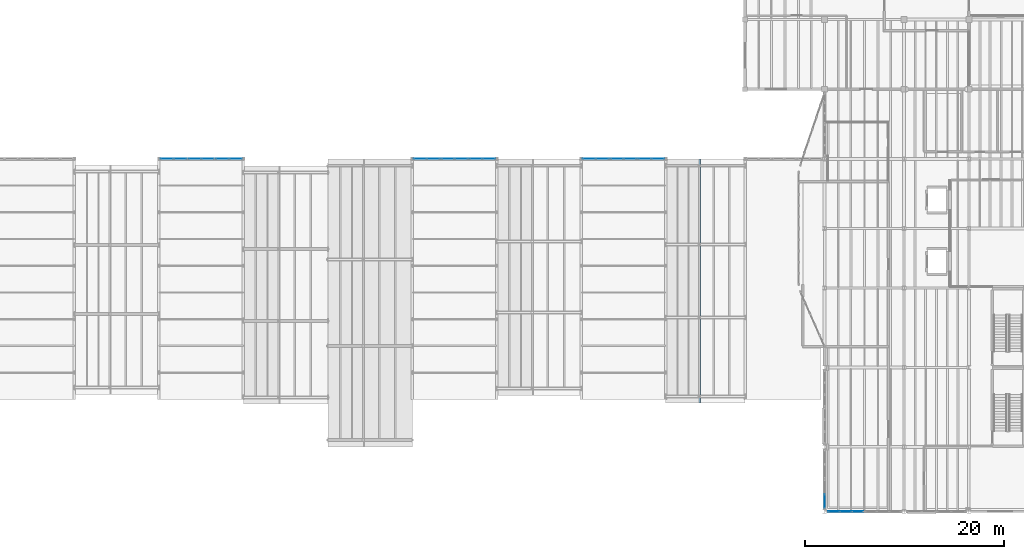
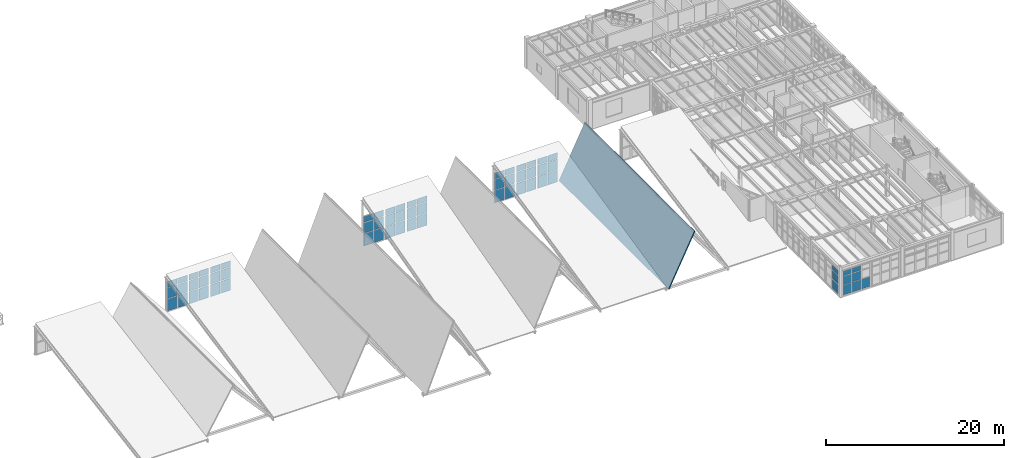
# One storey, part 50 of 77: 64 plates, 1 slab, 12 elements without a shape of their own.
"""IFC4 building model written with IfcOpenShell, lengths in metres."""

from ifc_helpers import new_model, si_unit, direction, frame, origin, origin_2d, place, context, subcontext, project, spatial, polyline, rectangle, outline, extrude, material, layer, layer_set, type_object, element, aggregate, save


model = new_model("IFC4")

# Units and contexts
model_context = context("Model", 3, precision=1e-05, world=origin(), true_north=direction((0.0, 1.0)))
body_context = subcontext(model_context, "Body", "Model", "MODEL_VIEW")
ifc_project = project(units=[si_unit("LENGTHUNIT", "METRE"), si_unit("AREAUNIT", "SQUARE_METRE"), si_unit("VOLUMEUNIT", "CUBIC_METRE"), si_unit("PLANEANGLEUNIT", "RADIAN"), si_unit("MASSUNIT", "GRAM", prefix="KILO"), si_unit("THERMODYNAMICTEMPERATUREUNIT", "KELVIN"), si_unit("POWERUNIT", "WATT")], contexts=[model_context])

# Site, building, storey
site_placement = place(None, origin())
site = spatial("IfcSite", under=ifc_project, at=site_placement, CompositionType="ELEMENT")
building_placement = place(site_placement, origin())
building = spatial("IfcBuilding", under=site, at=building_placement, Name="Zhenchuan Central Fire Station", CompositionType="ELEMENT")
storey_placement = place(building_placement, frame((0.0, 0.0, 10.050048828125)))
storey = spatial("IfcBuildingStorey", under=building, at=storey_placement, Name="L03", CompositionType="ELEMENT", Elevation=10.050048828125)

# Curtain wall, plates
ifc_material_1 = material(Name="Anodised aluminium and low-E glazing", Category="aluminium")
curtain_wall_type_1 = type_object("IfcCurtainWallType", Name="CW-MOD-20", PredefinedType="USERDEFINED", material=ifc_material_1)
curtain_wall_1_placement = place(storey_placement, origin())
curtain_wall_1 = element("IfcCurtainWall", 1, at=curtain_wall_1_placement, inside=storey, type_object=curtain_wall_type_1, Name="L03 Unitised Curtain Wall 004", ObjectType="UNITISED GLAZING", PredefinedType="USERDEFINED")
ifc_material_2 = material(Name="Laminated low-E double glazing", Category="glass")
ifc_layer_1 = layer(ifc_material_2, 0.011962890625, Name="Laminated low-E double glazing", Category="glass")
ifc_layer_set_1 = layer_set([ifc_layer_1], Name="Laminated low-E double glazing")
plate_type = type_object("IfcPlateType", Name="CW-PNL12", PredefinedType="CURTAIN_PANEL", material=ifc_layer_set_1)
plate_1_placement = place(storey_placement, frame((73.791015625, 35.5, -0.12890625), z_axis=(0.0, 0.0, 1.0), x_axis=(1.0, 0.0, 0.0)))
plate_1 = element("IfcPlate", 2, at=plate_1_placement, type_object=plate_type, Name="CW-20 panel 1.1", PredefinedType="CURTAIN_PANEL", context=body_context, shape_type="SweptSolid", body=[
    extrude(rectangle(XDim=1.255859375, YDim=0.011962890625, at=origin_2d()), origin(), (0.0, 0.0, 1.0), 1.655517578125),
])
plate_2_placement = place(storey_placement, frame((73.791015625, 35.5, 1.6015625), z_axis=(0.0, 0.0, 1.0), x_axis=(1.0, 0.0, 0.0)))
plate_2 = element("IfcPlate", 3, at=plate_2_placement, type_object=plate_type, Name="CW-20 panel 1.2", PredefinedType="CURTAIN_PANEL", context=body_context, shape_type="SweptSolid", body=[
    extrude(rectangle(XDim=1.255859375, YDim=0.011962890625, at=origin_2d()), origin(), (0.0, 0.0, 1.0), 1.43701171875),
])
plate_3_placement = place(storey_placement, frame((73.791015625, 35.5, 3.113525390625), z_axis=(0.0, 0.0, 1.0), x_axis=(1.0, 0.0, 0.0)))
plate_3 = element("IfcPlate", 4, at=plate_3_placement, type_object=plate_type, Name="CW-20 panel 1.3", PredefinedType="CURTAIN_PANEL", context=body_context, shape_type="SweptSolid", body=[
    extrude(rectangle(XDim=1.255859375, YDim=0.011962890625, at=origin_2d()), origin(), (0.0, 0.0, 1.0), 0.8115234375),
])
plate_4_placement = place(storey_placement, frame((75.121826171875, 35.5, -0.12890625), z_axis=(0.0, 0.0, 1.0), x_axis=(1.0, 0.0, 0.0)))
plate_4 = element("IfcPlate", 5, at=plate_4_placement, type_object=plate_type, Name="CW-20 panel 2.1", PredefinedType="CURTAIN_PANEL", context=body_context, shape_type="SweptSolid", body=[
    extrude(rectangle(XDim=1.255859375, YDim=0.011962890625, at=origin_2d()), origin(), (0.0, 0.0, 1.0), 1.655517578125),
])
plate_5_placement = place(storey_placement, frame((75.121826171875, 35.5, 1.6015625), z_axis=(0.0, 0.0, 1.0), x_axis=(1.0, 0.0, 0.0)))
plate_5 = element("IfcPlate", 6, at=plate_5_placement, type_object=plate_type, Name="CW-20 panel 2.2", PredefinedType="CURTAIN_PANEL", context=body_context, shape_type="SweptSolid", body=[
    extrude(rectangle(XDim=1.255859375, YDim=0.011962890625, at=origin_2d()), origin(), (0.0, 0.0, 1.0), 1.43701171875),
])
plate_6_placement = place(storey_placement, frame((75.121826171875, 35.5, 3.113525390625), z_axis=(0.0, 0.0, 1.0), x_axis=(1.0, 0.0, 0.0)))
plate_6 = element("IfcPlate", 7, at=plate_6_placement, type_object=plate_type, Name="CW-20 panel 2.3", PredefinedType="CURTAIN_PANEL", context=body_context, shape_type="SweptSolid", body=[
    extrude(rectangle(XDim=1.255859375, YDim=0.011962890625, at=origin_2d()), origin(), (0.0, 0.0, 1.0), 0.8115234375),
])
aggregate(curtain_wall_1, [plate_1, plate_2, plate_3, plate_4, plate_5, plate_6])

curtain_wall_type_2 = type_object("IfcCurtainWallType", Name="CW-MOD-21", PredefinedType="USERDEFINED", material=ifc_material_1)
curtain_wall_2_placement = place(storey_placement, origin())
curtain_wall_2 = element("IfcCurtainWall", 8, at=curtain_wall_2_placement, inside=storey, type_object=curtain_wall_type_2, Name="L03 Unitised Curtain Wall 005", ObjectType="UNITISED GLAZING", PredefinedType="USERDEFINED")
plate_7_placement = place(storey_placement, frame((76.593994140625, 35.5, -0.12890625), z_axis=(0.0, 0.0, 1.0), x_axis=(1.0, 0.0, 0.0)))
plate_7 = element("IfcPlate", 9, at=plate_7_placement, type_object=plate_type, Name="CW-21 panel 1.1", PredefinedType="CURTAIN_PANEL", context=body_context, shape_type="SweptSolid", body=[
    extrude(rectangle(XDim=1.23681640625, YDim=0.011962890625, at=origin_2d()), origin(), (0.0, 0.0, 1.0), 1.655517578125),
])
plate_8_placement = place(storey_placement, frame((76.593994140625, 35.5, 1.6015625), z_axis=(0.0, 0.0, 1.0), x_axis=(1.0, 0.0, 0.0)))
plate_8 = element("IfcPlate", 10, at=plate_8_placement, type_object=plate_type, Name="CW-21 panel 1.2", PredefinedType="CURTAIN_PANEL", context=body_context, shape_type="SweptSolid", body=[
    extrude(rectangle(XDim=1.23681640625, YDim=0.011962890625, at=origin_2d()), origin(), (0.0, 0.0, 1.0), 1.43701171875),
])
plate_9_placement = place(storey_placement, frame((76.593994140625, 35.5, 3.113525390625), z_axis=(0.0, 0.0, 1.0), x_axis=(1.0, 0.0, 0.0)))
plate_9 = element("IfcPlate", 11, at=plate_9_placement, type_object=plate_type, Name="CW-21 panel 1.3", PredefinedType="CURTAIN_PANEL", context=body_context, shape_type="SweptSolid", body=[
    extrude(rectangle(XDim=1.23681640625, YDim=0.011962890625, at=origin_2d()), origin(), (0.0, 0.0, 1.0), 0.8115234375),
])
plate_10_placement = place(storey_placement, frame((77.906005859375, 35.5, -0.12890625), z_axis=(0.0, 0.0, 1.0), x_axis=(1.0, 0.0, 0.0)))
plate_10 = element("IfcPlate", 12, at=plate_10_placement, type_object=plate_type, Name="CW-21 panel 2.1", PredefinedType="CURTAIN_PANEL", context=body_context, shape_type="SweptSolid", body=[
    extrude(rectangle(XDim=1.23681640625, YDim=0.011962890625, at=origin_2d()), origin(), (0.0, 0.0, 1.0), 1.655517578125),
])
plate_11_placement = place(storey_placement, frame((77.906005859375, 35.5, 1.6015625), z_axis=(0.0, 0.0, 1.0), x_axis=(1.0, 0.0, 0.0)))
plate_11 = element("IfcPlate", 13, at=plate_11_placement, type_object=plate_type, Name="CW-21 panel 2.2", PredefinedType="CURTAIN_PANEL", context=body_context, shape_type="SweptSolid", body=[
    extrude(rectangle(XDim=1.23681640625, YDim=0.011962890625, at=origin_2d()), origin(), (0.0, 0.0, 1.0), 1.43701171875),
])
plate_12_placement = place(storey_placement, frame((77.906005859375, 35.5, 3.113525390625), z_axis=(0.0, 0.0, 1.0), x_axis=(1.0, 0.0, 0.0)))
plate_12 = element("IfcPlate", 14, at=plate_12_placement, type_object=plate_type, Name="CW-21 panel 2.3", PredefinedType="CURTAIN_PANEL", context=body_context, shape_type="SweptSolid", body=[
    extrude(rectangle(XDim=1.23681640625, YDim=0.011962890625, at=origin_2d()), origin(), (0.0, 0.0, 1.0), 0.8115234375),
])
aggregate(curtain_wall_2, [plate_7, plate_8, plate_9, plate_10, plate_11, plate_12])

curtain_wall_type_3 = type_object("IfcCurtainWallType", Name="CW-MOD-22", PredefinedType="USERDEFINED", material=ifc_material_1)
curtain_wall_3_placement = place(storey_placement, origin())
curtain_wall_3 = element("IfcCurtainWall", 15, at=curtain_wall_3_placement, inside=storey, type_object=curtain_wall_type_3, Name="L03 Unitised Curtain Wall 006", ObjectType="UNITISED GLAZING", PredefinedType="USERDEFINED")
plate_13_placement = place(storey_placement, frame((79.378173828125, 35.5, -0.12890625), z_axis=(0.0, 0.0, 1.0), x_axis=(1.0, 0.0, 0.0)))
plate_13 = element("IfcPlate", 16, at=plate_13_placement, type_object=plate_type, Name="CW-22 panel 1.1", PredefinedType="CURTAIN_PANEL", context=body_context, shape_type="SweptSolid", body=[
    extrude(rectangle(XDim=1.255859375, YDim=0.011962890625, at=origin_2d()), origin(), (0.0, 0.0, 1.0), 1.655517578125),
])
plate_14_placement = place(storey_placement, frame((79.378173828125, 35.5, 1.6015625), z_axis=(0.0, 0.0, 1.0), x_axis=(1.0, 0.0, 0.0)))
plate_14 = element("IfcPlate", 17, at=plate_14_placement, type_object=plate_type, Name="CW-22 panel 1.2", PredefinedType="CURTAIN_PANEL", context=body_context, shape_type="SweptSolid", body=[
    extrude(rectangle(XDim=1.255859375, YDim=0.011962890625, at=origin_2d()), origin(), (0.0, 0.0, 1.0), 1.43701171875),
])
plate_15_placement = place(storey_placement, frame((79.378173828125, 35.5, 3.113525390625), z_axis=(0.0, 0.0, 1.0), x_axis=(1.0, 0.0, 0.0)))
plate_15 = element("IfcPlate", 18, at=plate_15_placement, type_object=plate_type, Name="CW-22 panel 1.3", PredefinedType="CURTAIN_PANEL", context=body_context, shape_type="SweptSolid", body=[
    extrude(rectangle(XDim=1.255859375, YDim=0.011962890625, at=origin_2d()), origin(), (0.0, 0.0, 1.0), 0.8115234375),
])
plate_16_placement = place(storey_placement, frame((80.708984375, 35.5, -0.12890625), z_axis=(0.0, 0.0, 1.0), x_axis=(1.0, 0.0, 0.0)))
plate_16 = element("IfcPlate", 19, at=plate_16_placement, type_object=plate_type, Name="CW-22 panel 2.1", PredefinedType="CURTAIN_PANEL", context=body_context, shape_type="SweptSolid", body=[
    extrude(rectangle(XDim=1.255859375, YDim=0.011962890625, at=origin_2d()), origin(), (0.0, 0.0, 1.0), 1.655517578125),
])
plate_17_placement = place(storey_placement, frame((80.708984375, 35.5, 1.6015625), z_axis=(0.0, 0.0, 1.0), x_axis=(1.0, 0.0, 0.0)))
plate_17 = element("IfcPlate", 20, at=plate_17_placement, type_object=plate_type, Name="CW-22 panel 2.2", PredefinedType="CURTAIN_PANEL", context=body_context, shape_type="SweptSolid", body=[
    extrude(rectangle(XDim=1.255859375, YDim=0.011962890625, at=origin_2d()), origin(), (0.0, 0.0, 1.0), 1.43701171875),
])
plate_18_placement = place(storey_placement, frame((80.708984375, 35.5, 3.113525390625), z_axis=(0.0, 0.0, 1.0), x_axis=(1.0, 0.0, 0.0)))
plate_18 = element("IfcPlate", 21, at=plate_18_placement, type_object=plate_type, Name="CW-22 panel 2.3", PredefinedType="CURTAIN_PANEL", context=body_context, shape_type="SweptSolid", body=[
    extrude(rectangle(XDim=1.255859375, YDim=0.011962890625, at=origin_2d()), origin(), (0.0, 0.0, 1.0), 0.8115234375),
])
aggregate(curtain_wall_3, [plate_13, plate_14, plate_15, plate_16, plate_17, plate_18])

curtain_wall_type_4 = type_object("IfcCurtainWallType", Name="CW-MOD-17", PredefinedType="USERDEFINED", material=ifc_material_1)
curtain_wall_4_placement = place(storey_placement, origin())
curtain_wall_4 = element("IfcCurtainWall", 22, at=curtain_wall_4_placement, inside=storey, type_object=curtain_wall_type_4, Name="L03 Unitised Curtain Wall 007", ObjectType="UNITISED GLAZING", PredefinedType="USERDEFINED")
plate_19_placement = place(storey_placement, frame((99.291015625, 35.5, -0.12890625), z_axis=(0.0, 0.0, 1.0), x_axis=(1.0, 0.0, 0.0)))
plate_19 = element("IfcPlate", 23, at=plate_19_placement, type_object=plate_type, Name="CW-17 panel 1.1", PredefinedType="CURTAIN_PANEL", context=body_context, shape_type="SweptSolid", body=[
    extrude(rectangle(XDim=1.255859375, YDim=0.011962890625, at=origin_2d()), origin(), (0.0, 0.0, 1.0), 1.655517578125),
])
plate_20_placement = place(storey_placement, frame((99.291015625, 35.5, 1.6015625), z_axis=(0.0, 0.0, 1.0), x_axis=(1.0, 0.0, 0.0)))
plate_20 = element("IfcPlate", 24, at=plate_20_placement, type_object=plate_type, Name="CW-17 panel 1.2", PredefinedType="CURTAIN_PANEL", context=body_context, shape_type="SweptSolid", body=[
    extrude(rectangle(XDim=1.255859375, YDim=0.011962890625, at=origin_2d()), origin(), (0.0, 0.0, 1.0), 1.43701171875),
])
plate_21_placement = place(storey_placement, frame((99.291015625, 35.5, 3.113525390625), z_axis=(0.0, 0.0, 1.0), x_axis=(1.0, 0.0, 0.0)))
plate_21 = element("IfcPlate", 25, at=plate_21_placement, type_object=plate_type, Name="CW-17 panel 1.3", PredefinedType="CURTAIN_PANEL", context=body_context, shape_type="SweptSolid", body=[
    extrude(rectangle(XDim=1.255859375, YDim=0.011962890625, at=origin_2d()), origin(), (0.0, 0.0, 1.0), 0.8115234375),
])
plate_22_placement = place(storey_placement, frame((100.621826171875, 35.5, -0.12890625), z_axis=(0.0, 0.0, 1.0), x_axis=(1.0, 0.0, 0.0)))
plate_22 = element("IfcPlate", 26, at=plate_22_placement, type_object=plate_type, Name="CW-17 panel 2.1", PredefinedType="CURTAIN_PANEL", context=body_context, shape_type="SweptSolid", body=[
    extrude(rectangle(XDim=1.255859375, YDim=0.011962890625, at=origin_2d()), origin(), (0.0, 0.0, 1.0), 1.655517578125),
])
plate_23_placement = place(storey_placement, frame((100.621826171875, 35.5, 1.6015625), z_axis=(0.0, 0.0, 1.0), x_axis=(1.0, 0.0, 0.0)))
plate_23 = element("IfcPlate", 27, at=plate_23_placement, type_object=plate_type, Name="CW-17 panel 2.2", PredefinedType="CURTAIN_PANEL", context=body_context, shape_type="SweptSolid", body=[
    extrude(rectangle(XDim=1.255859375, YDim=0.011962890625, at=origin_2d()), origin(), (0.0, 0.0, 1.0), 1.43701171875),
])
plate_24_placement = place(storey_placement, frame((100.621826171875, 35.5, 3.113525390625), z_axis=(0.0, 0.0, 1.0), x_axis=(1.0, 0.0, 0.0)))
plate_24 = element("IfcPlate", 28, at=plate_24_placement, type_object=plate_type, Name="CW-17 panel 2.3", PredefinedType="CURTAIN_PANEL", context=body_context, shape_type="SweptSolid", body=[
    extrude(rectangle(XDim=1.255859375, YDim=0.011962890625, at=origin_2d()), origin(), (0.0, 0.0, 1.0), 0.8115234375),
])
aggregate(curtain_wall_4, [plate_19, plate_20, plate_21, plate_22, plate_23, plate_24])

curtain_wall_type_5 = type_object("IfcCurtainWallType", Name="CW-MOD-18", PredefinedType="USERDEFINED", material=ifc_material_1)
curtain_wall_5_placement = place(storey_placement, origin())
curtain_wall_5 = element("IfcCurtainWall", 29, at=curtain_wall_5_placement, inside=storey, type_object=curtain_wall_type_5, Name="L03 Unitised Curtain Wall 008", ObjectType="UNITISED GLAZING", PredefinedType="USERDEFINED")
plate_25_placement = place(storey_placement, frame((102.093994140625, 35.5, -0.12890625), z_axis=(0.0, 0.0, 1.0), x_axis=(1.0, 0.0, 0.0)))
plate_25 = element("IfcPlate", 30, at=plate_25_placement, type_object=plate_type, Name="CW-18 panel 1.1", PredefinedType="CURTAIN_PANEL", context=body_context, shape_type="SweptSolid", body=[
    extrude(rectangle(XDim=1.23681640625, YDim=0.011962890625, at=origin_2d()), origin(), (0.0, 0.0, 1.0), 1.655517578125),
])
plate_26_placement = place(storey_placement, frame((102.093994140625, 35.5, 1.6015625), z_axis=(0.0, 0.0, 1.0), x_axis=(1.0, 0.0, 0.0)))
plate_26 = element("IfcPlate", 31, at=plate_26_placement, type_object=plate_type, Name="CW-18 panel 1.2", PredefinedType="CURTAIN_PANEL", context=body_context, shape_type="SweptSolid", body=[
    extrude(rectangle(XDim=1.23681640625, YDim=0.011962890625, at=origin_2d()), origin(), (0.0, 0.0, 1.0), 1.43701171875),
])
plate_27_placement = place(storey_placement, frame((102.093994140625, 35.5, 3.113525390625), z_axis=(0.0, 0.0, 1.0), x_axis=(1.0, 0.0, 0.0)))
plate_27 = element("IfcPlate", 32, at=plate_27_placement, type_object=plate_type, Name="CW-18 panel 1.3", PredefinedType="CURTAIN_PANEL", context=body_context, shape_type="SweptSolid", body=[
    extrude(rectangle(XDim=1.23681640625, YDim=0.011962890625, at=origin_2d()), origin(), (0.0, 0.0, 1.0), 0.8115234375),
])
plate_28_placement = place(storey_placement, frame((103.406005859375, 35.5, -0.12890625), z_axis=(0.0, 0.0, 1.0), x_axis=(1.0, 0.0, 0.0)))
plate_28 = element("IfcPlate", 33, at=plate_28_placement, type_object=plate_type, Name="CW-18 panel 2.1", PredefinedType="CURTAIN_PANEL", context=body_context, shape_type="SweptSolid", body=[
    extrude(rectangle(XDim=1.23681640625, YDim=0.011962890625, at=origin_2d()), origin(), (0.0, 0.0, 1.0), 1.655517578125),
])
plate_29_placement = place(storey_placement, frame((103.406005859375, 35.5, 1.6015625), z_axis=(0.0, 0.0, 1.0), x_axis=(1.0, 0.0, 0.0)))
plate_29 = element("IfcPlate", 34, at=plate_29_placement, type_object=plate_type, Name="CW-18 panel 2.2", PredefinedType="CURTAIN_PANEL", context=body_context, shape_type="SweptSolid", body=[
    extrude(rectangle(XDim=1.23681640625, YDim=0.011962890625, at=origin_2d()), origin(), (0.0, 0.0, 1.0), 1.43701171875),
])
plate_30_placement = place(storey_placement, frame((103.406005859375, 35.5, 3.113525390625), z_axis=(0.0, 0.0, 1.0), x_axis=(1.0, 0.0, 0.0)))
plate_30 = element("IfcPlate", 35, at=plate_30_placement, type_object=plate_type, Name="CW-18 panel 2.3", PredefinedType="CURTAIN_PANEL", context=body_context, shape_type="SweptSolid", body=[
    extrude(rectangle(XDim=1.23681640625, YDim=0.011962890625, at=origin_2d()), origin(), (0.0, 0.0, 1.0), 0.8115234375),
])
aggregate(curtain_wall_5, [plate_25, plate_26, plate_27, plate_28, plate_29, plate_30])

curtain_wall_type_6 = type_object("IfcCurtainWallType", Name="CW-MOD-19", PredefinedType="USERDEFINED", material=ifc_material_1)
curtain_wall_6_placement = place(storey_placement, origin())
curtain_wall_6 = element("IfcCurtainWall", 36, at=curtain_wall_6_placement, inside=storey, type_object=curtain_wall_type_6, Name="L03 Unitised Curtain Wall 009", ObjectType="UNITISED GLAZING", PredefinedType="USERDEFINED")
plate_31_placement = place(storey_placement, frame((104.878173828125, 35.5, -0.12890625), z_axis=(0.0, 0.0, 1.0), x_axis=(1.0, 0.0, 0.0)))
plate_31 = element("IfcPlate", 37, at=plate_31_placement, type_object=plate_type, Name="CW-19 panel 1.1", PredefinedType="CURTAIN_PANEL", context=body_context, shape_type="SweptSolid", body=[
    extrude(rectangle(XDim=1.255859375, YDim=0.011962890625, at=origin_2d()), origin(), (0.0, 0.0, 1.0), 1.655517578125),
])
plate_32_placement = place(storey_placement, frame((104.878173828125, 35.5, 1.6015625), z_axis=(0.0, 0.0, 1.0), x_axis=(1.0, 0.0, 0.0)))
plate_32 = element("IfcPlate", 38, at=plate_32_placement, type_object=plate_type, Name="CW-19 panel 1.2", PredefinedType="CURTAIN_PANEL", context=body_context, shape_type="SweptSolid", body=[
    extrude(rectangle(XDim=1.255859375, YDim=0.011962890625, at=origin_2d()), origin(), (0.0, 0.0, 1.0), 1.43701171875),
])
plate_33_placement = place(storey_placement, frame((104.878173828125, 35.5, 3.113525390625), z_axis=(0.0, 0.0, 1.0), x_axis=(1.0, 0.0, 0.0)))
plate_33 = element("IfcPlate", 39, at=plate_33_placement, type_object=plate_type, Name="CW-19 panel 1.3", PredefinedType="CURTAIN_PANEL", context=body_context, shape_type="SweptSolid", body=[
    extrude(rectangle(XDim=1.255859375, YDim=0.011962890625, at=origin_2d()), origin(), (0.0, 0.0, 1.0), 0.8115234375),
])
plate_34_placement = place(storey_placement, frame((106.208984375, 35.5, -0.12890625), z_axis=(0.0, 0.0, 1.0), x_axis=(1.0, 0.0, 0.0)))
plate_34 = element("IfcPlate", 40, at=plate_34_placement, type_object=plate_type, Name="CW-19 panel 2.1", PredefinedType="CURTAIN_PANEL", context=body_context, shape_type="SweptSolid", body=[
    extrude(rectangle(XDim=1.255859375, YDim=0.011962890625, at=origin_2d()), origin(), (0.0, 0.0, 1.0), 1.655517578125),
])
plate_35_placement = place(storey_placement, frame((106.208984375, 35.5, 1.6015625), z_axis=(0.0, 0.0, 1.0), x_axis=(1.0, 0.0, 0.0)))
plate_35 = element("IfcPlate", 41, at=plate_35_placement, type_object=plate_type, Name="CW-19 panel 2.2", PredefinedType="CURTAIN_PANEL", context=body_context, shape_type="SweptSolid", body=[
    extrude(rectangle(XDim=1.255859375, YDim=0.011962890625, at=origin_2d()), origin(), (0.0, 0.0, 1.0), 1.43701171875),
])
plate_36_placement = place(storey_placement, frame((106.208984375, 35.5, 3.113525390625), z_axis=(0.0, 0.0, 1.0), x_axis=(1.0, 0.0, 0.0)))
plate_36 = element("IfcPlate", 42, at=plate_36_placement, type_object=plate_type, Name="CW-19 panel 2.3", PredefinedType="CURTAIN_PANEL", context=body_context, shape_type="SweptSolid", body=[
    extrude(rectangle(XDim=1.255859375, YDim=0.011962890625, at=origin_2d()), origin(), (0.0, 0.0, 1.0), 0.8115234375),
])
aggregate(curtain_wall_6, [plate_31, plate_32, plate_33, plate_34, plate_35, plate_36])

curtain_wall_7_placement = place(storey_placement, origin())
curtain_wall_7 = element("IfcCurtainWall", 43, at=curtain_wall_7_placement, inside=storey, type_object=curtain_wall_type_6, Name="L03 Unitised Curtain Wall 010", ObjectType="UNITISED GLAZING", PredefinedType="USERDEFINED")
plate_37_placement = place(storey_placement, frame((116.291015625, 35.5, -0.12890625), z_axis=(0.0, 0.0, 1.0), x_axis=(1.0, 0.0, 0.0)))
plate_37 = element("IfcPlate", 44, at=plate_37_placement, type_object=plate_type, Name="CW-19 panel 1.1", PredefinedType="CURTAIN_PANEL", context=body_context, shape_type="SweptSolid", body=[
    extrude(rectangle(XDim=1.255859375, YDim=0.011962890625, at=origin_2d()), origin(), (0.0, 0.0, 1.0), 1.655517578125),
])
plate_38_placement = place(storey_placement, frame((116.291015625, 35.5, 1.6015625), z_axis=(0.0, 0.0, 1.0), x_axis=(1.0, 0.0, 0.0)))
plate_38 = element("IfcPlate", 45, at=plate_38_placement, type_object=plate_type, Name="CW-19 panel 1.2", PredefinedType="CURTAIN_PANEL", context=body_context, shape_type="SweptSolid", body=[
    extrude(rectangle(XDim=1.255859375, YDim=0.011962890625, at=origin_2d()), origin(), (0.0, 0.0, 1.0), 1.43701171875),
])
plate_39_placement = place(storey_placement, frame((116.291015625, 35.5, 3.113525390625), z_axis=(0.0, 0.0, 1.0), x_axis=(1.0, 0.0, 0.0)))
plate_39 = element("IfcPlate", 46, at=plate_39_placement, type_object=plate_type, Name="CW-19 panel 1.3", PredefinedType="CURTAIN_PANEL", context=body_context, shape_type="SweptSolid", body=[
    extrude(rectangle(XDim=1.255859375, YDim=0.011962890625, at=origin_2d()), origin(), (0.0, 0.0, 1.0), 0.8115234375),
])
plate_40_placement = place(storey_placement, frame((117.621826171875, 35.5, -0.12890625), z_axis=(0.0, 0.0, 1.0), x_axis=(1.0, 0.0, 0.0)))
plate_40 = element("IfcPlate", 47, at=plate_40_placement, type_object=plate_type, Name="CW-19 panel 2.1", PredefinedType="CURTAIN_PANEL", context=body_context, shape_type="SweptSolid", body=[
    extrude(rectangle(XDim=1.255859375, YDim=0.011962890625, at=origin_2d()), origin(), (0.0, 0.0, 1.0), 1.655517578125),
])
plate_41_placement = place(storey_placement, frame((117.621826171875, 35.5, 1.6015625), z_axis=(0.0, 0.0, 1.0), x_axis=(1.0, 0.0, 0.0)))
plate_41 = element("IfcPlate", 48, at=plate_41_placement, type_object=plate_type, Name="CW-19 panel 2.2", PredefinedType="CURTAIN_PANEL", context=body_context, shape_type="SweptSolid", body=[
    extrude(rectangle(XDim=1.255859375, YDim=0.011962890625, at=origin_2d()), origin(), (0.0, 0.0, 1.0), 1.43701171875),
])
plate_42_placement = place(storey_placement, frame((117.621826171875, 35.5, 3.113525390625), z_axis=(0.0, 0.0, 1.0), x_axis=(1.0, 0.0, 0.0)))
plate_42 = element("IfcPlate", 49, at=plate_42_placement, type_object=plate_type, Name="CW-19 panel 2.3", PredefinedType="CURTAIN_PANEL", context=body_context, shape_type="SweptSolid", body=[
    extrude(rectangle(XDim=1.255859375, YDim=0.011962890625, at=origin_2d()), origin(), (0.0, 0.0, 1.0), 0.8115234375),
])
aggregate(curtain_wall_7, [plate_37, plate_38, plate_39, plate_40, plate_41, plate_42])

curtain_wall_8_placement = place(storey_placement, origin())
curtain_wall_8 = element("IfcCurtainWall", 50, at=curtain_wall_8_placement, inside=storey, type_object=curtain_wall_type_1, Name="L03 Unitised Curtain Wall 011", ObjectType="UNITISED GLAZING", PredefinedType="USERDEFINED")
plate_43_placement = place(storey_placement, frame((119.093994140625, 35.5, -0.12890625), z_axis=(0.0, 0.0, 1.0), x_axis=(1.0, 0.0, 0.0)))
plate_43 = element("IfcPlate", 51, at=plate_43_placement, type_object=plate_type, Name="CW-20 panel 1.1", PredefinedType="CURTAIN_PANEL", context=body_context, shape_type="SweptSolid", body=[
    extrude(rectangle(XDim=1.23681640625, YDim=0.011962890625, at=origin_2d()), origin(), (0.0, 0.0, 1.0), 1.655517578125),
])
plate_44_placement = place(storey_placement, frame((119.093994140625, 35.5, 1.6015625), z_axis=(0.0, 0.0, 1.0), x_axis=(1.0, 0.0, 0.0)))
plate_44 = element("IfcPlate", 52, at=plate_44_placement, type_object=plate_type, Name="CW-20 panel 1.2", PredefinedType="CURTAIN_PANEL", context=body_context, shape_type="SweptSolid", body=[
    extrude(rectangle(XDim=1.23681640625, YDim=0.011962890625, at=origin_2d()), origin(), (0.0, 0.0, 1.0), 1.43701171875),
])
plate_45_placement = place(storey_placement, frame((119.093994140625, 35.5, 3.113525390625), z_axis=(0.0, 0.0, 1.0), x_axis=(1.0, 0.0, 0.0)))
plate_45 = element("IfcPlate", 53, at=plate_45_placement, type_object=plate_type, Name="CW-20 panel 1.3", PredefinedType="CURTAIN_PANEL", context=body_context, shape_type="SweptSolid", body=[
    extrude(rectangle(XDim=1.23681640625, YDim=0.011962890625, at=origin_2d()), origin(), (0.0, 0.0, 1.0), 0.8115234375),
])
plate_46_placement = place(storey_placement, frame((120.406005859375, 35.5, -0.12890625), z_axis=(0.0, 0.0, 1.0), x_axis=(1.0, 0.0, 0.0)))
plate_46 = element("IfcPlate", 54, at=plate_46_placement, type_object=plate_type, Name="CW-20 panel 2.1", PredefinedType="CURTAIN_PANEL", context=body_context, shape_type="SweptSolid", body=[
    extrude(rectangle(XDim=1.23681640625, YDim=0.011962890625, at=origin_2d()), origin(), (0.0, 0.0, 1.0), 1.655517578125),
])
plate_47_placement = place(storey_placement, frame((120.406005859375, 35.5, 1.6015625), z_axis=(0.0, 0.0, 1.0), x_axis=(1.0, 0.0, 0.0)))
plate_47 = element("IfcPlate", 55, at=plate_47_placement, type_object=plate_type, Name="CW-20 panel 2.2", PredefinedType="CURTAIN_PANEL", context=body_context, shape_type="SweptSolid", body=[
    extrude(rectangle(XDim=1.23681640625, YDim=0.011962890625, at=origin_2d()), origin(), (0.0, 0.0, 1.0), 1.43701171875),
])
plate_48_placement = place(storey_placement, frame((120.406005859375, 35.5, 3.113525390625), z_axis=(0.0, 0.0, 1.0), x_axis=(1.0, 0.0, 0.0)))
plate_48 = element("IfcPlate", 56, at=plate_48_placement, type_object=plate_type, Name="CW-20 panel 2.3", PredefinedType="CURTAIN_PANEL", context=body_context, shape_type="SweptSolid", body=[
    extrude(rectangle(XDim=1.23681640625, YDim=0.011962890625, at=origin_2d()), origin(), (0.0, 0.0, 1.0), 0.8115234375),
])
aggregate(curtain_wall_8, [plate_43, plate_44, plate_45, plate_46, plate_47, plate_48])

curtain_wall_9_placement = place(storey_placement, origin())
curtain_wall_9 = element("IfcCurtainWall", 57, at=curtain_wall_9_placement, inside=storey, type_object=curtain_wall_type_2, Name="L03 Unitised Curtain Wall 012", ObjectType="UNITISED GLAZING", PredefinedType="USERDEFINED")
plate_49_placement = place(storey_placement, frame((121.878173828125, 35.5, -0.12890625), z_axis=(0.0, 0.0, 1.0), x_axis=(1.0, 0.0, 0.0)))
plate_49 = element("IfcPlate", 58, at=plate_49_placement, type_object=plate_type, Name="CW-21 panel 1.1", PredefinedType="CURTAIN_PANEL", context=body_context, shape_type="SweptSolid", body=[
    extrude(rectangle(XDim=1.255859375, YDim=0.011962890625, at=origin_2d()), origin(), (0.0, 0.0, 1.0), 1.655517578125),
])
plate_50_placement = place(storey_placement, frame((121.878173828125, 35.5, 1.6015625), z_axis=(0.0, 0.0, 1.0), x_axis=(1.0, 0.0, 0.0)))
plate_50 = element("IfcPlate", 59, at=plate_50_placement, type_object=plate_type, Name="CW-21 panel 1.2", PredefinedType="CURTAIN_PANEL", context=body_context, shape_type="SweptSolid", body=[
    extrude(rectangle(XDim=1.255859375, YDim=0.011962890625, at=origin_2d()), origin(), (0.0, 0.0, 1.0), 1.43701171875),
])
plate_51_placement = place(storey_placement, frame((121.878173828125, 35.5, 3.113525390625), z_axis=(0.0, 0.0, 1.0), x_axis=(1.0, 0.0, 0.0)))
plate_51 = element("IfcPlate", 60, at=plate_51_placement, type_object=plate_type, Name="CW-21 panel 1.3", PredefinedType="CURTAIN_PANEL", context=body_context, shape_type="SweptSolid", body=[
    extrude(rectangle(XDim=1.255859375, YDim=0.011962890625, at=origin_2d()), origin(), (0.0, 0.0, 1.0), 0.8115234375),
])
plate_52_placement = place(storey_placement, frame((123.208984375, 35.5, -0.12890625), z_axis=(0.0, 0.0, 1.0), x_axis=(1.0, 0.0, 0.0)))
plate_52 = element("IfcPlate", 61, at=plate_52_placement, type_object=plate_type, Name="CW-21 panel 2.1", PredefinedType="CURTAIN_PANEL", context=body_context, shape_type="SweptSolid", body=[
    extrude(rectangle(XDim=1.255859375, YDim=0.011962890625, at=origin_2d()), origin(), (0.0, 0.0, 1.0), 1.655517578125),
])
plate_53_placement = place(storey_placement, frame((123.208984375, 35.5, 1.6015625), z_axis=(0.0, 0.0, 1.0), x_axis=(1.0, 0.0, 0.0)))
plate_53 = element("IfcPlate", 62, at=plate_53_placement, type_object=plate_type, Name="CW-21 panel 2.2", PredefinedType="CURTAIN_PANEL", context=body_context, shape_type="SweptSolid", body=[
    extrude(rectangle(XDim=1.255859375, YDim=0.011962890625, at=origin_2d()), origin(), (0.0, 0.0, 1.0), 1.43701171875),
])
plate_54_placement = place(storey_placement, frame((123.208984375, 35.5, 3.113525390625), z_axis=(0.0, 0.0, 1.0), x_axis=(1.0, 0.0, 0.0)))
plate_54 = element("IfcPlate", 63, at=plate_54_placement, type_object=plate_type, Name="CW-21 panel 2.3", PredefinedType="CURTAIN_PANEL", context=body_context, shape_type="SweptSolid", body=[
    extrude(rectangle(XDim=1.255859375, YDim=0.011962890625, at=origin_2d()), origin(), (0.0, 0.0, 1.0), 0.8115234375),
])
aggregate(curtain_wall_9, [plate_49, plate_50, plate_51, plate_52, plate_53, plate_54])

curtain_wall_type_7 = type_object("IfcCurtainWallType", Name="CW-MOD-05", PredefinedType="USERDEFINED", material=ifc_material_1)
curtain_wall_10_placement = place(storey_placement, origin())
curtain_wall_10 = element("IfcCurtainWall", 64, at=curtain_wall_10_placement, inside=storey, type_object=curtain_wall_type_7, Name="L03 Unitised Curtain Wall 100", ObjectType="UNITISED GLAZING", PredefinedType="USERDEFINED")
plate_55_placement = place(storey_placement, frame((140.926513671875, 0.0, 0.06103515625), z_axis=(0.0, 0.0, 1.0), x_axis=(1.0, 0.0, 0.0)))
plate_55 = element("IfcPlate", 65, at=plate_55_placement, type_object=plate_type, Name="CW-05 panel 1.1", PredefinedType="CURTAIN_PANEL", context=body_context, shape_type="SweptSolid", body=[
    extrude(rectangle(XDim=1.123046875, YDim=0.011962890625, at=origin_2d()), origin(), (0.0, 0.0, 1.0), 1.33447265625),
])
plate_56_placement = place(storey_placement, frame((140.926513671875, 0.0, 1.46044921875), z_axis=(0.0, 0.0, 1.0), x_axis=(1.0, 0.0, 0.0)))
plate_56 = element("IfcPlate", 66, at=plate_56_placement, type_object=plate_type, Name="CW-05 panel 1.2", PredefinedType="CURTAIN_PANEL", context=body_context, shape_type="SweptSolid", body=[
    extrude(rectangle(XDim=1.123046875, YDim=0.011962890625, at=origin_2d()), origin(), (0.0, 0.0, 1.0), 1.158935546875),
])
plate_57_placement = place(storey_placement, frame((140.926513671875, 0.0, 2.6845703125), z_axis=(0.0, 0.0, 1.0), x_axis=(1.0, 0.0, 0.0)))
plate_57 = element("IfcPlate", 67, at=plate_57_placement, type_object=plate_type, Name="CW-05 panel 1.3", PredefinedType="CURTAIN_PANEL", context=body_context, shape_type="SweptSolid", body=[
    extrude(rectangle(XDim=1.123046875, YDim=0.011962890625, at=origin_2d()), origin(), (0.0, 0.0, 1.0), 0.650390625),
])
plate_58_placement = place(storey_placement, frame((142.131103515625, 0.0, 0.06103515625), z_axis=(0.0, 0.0, 1.0), x_axis=(1.0, 0.0, 0.0)))
plate_58 = element("IfcPlate", 68, at=plate_58_placement, type_object=plate_type, Name="CW-05 panel 2.1", PredefinedType="CURTAIN_PANEL", context=body_context, shape_type="SweptSolid", body=[
    extrude(rectangle(XDim=1.15576171875, YDim=0.011962890625, at=origin_2d()), origin(), (0.0, 0.0, 1.0), 1.33447265625),
])
plate_59_placement = place(storey_placement, frame((142.131103515625, 0.0, 1.46044921875), z_axis=(0.0, 0.0, 1.0), x_axis=(1.0, 0.0, 0.0)))
plate_59 = element("IfcPlate", 69, at=plate_59_placement, type_object=plate_type, Name="CW-05 panel 2.2", PredefinedType="CURTAIN_PANEL", context=body_context, shape_type="SweptSolid", body=[
    extrude(rectangle(XDim=1.15576171875, YDim=0.011962890625, at=origin_2d()), origin(), (0.0, 0.0, 1.0), 1.158935546875),
])
plate_60_placement = place(storey_placement, frame((142.131103515625, 0.0, 2.6845703125), z_axis=(0.0, 0.0, 1.0), x_axis=(1.0, 0.0, 0.0)))
plate_60 = element("IfcPlate", 70, at=plate_60_placement, type_object=plate_type, Name="CW-05 panel 2.3", PredefinedType="CURTAIN_PANEL", context=body_context, shape_type="SweptSolid", body=[
    extrude(rectangle(XDim=1.15576171875, YDim=0.011962890625, at=origin_2d()), origin(), (0.0, 0.0, 1.0), 0.650390625),
])
plate_61_placement = place(storey_placement, frame((143.33544921875, 0.0, 0.06103515625), z_axis=(0.0, 0.0, 1.0), x_axis=(1.0, 0.0, 0.0)))
plate_61 = element("IfcPlate", 71, at=plate_61_placement, type_object=plate_type, Name="CW-05 panel 3.1", PredefinedType="CURTAIN_PANEL", context=body_context, shape_type="SweptSolid", body=[
    extrude(rectangle(XDim=1.123046875, YDim=0.011962890625, at=origin_2d()), origin(), (0.0, 0.0, 1.0), 1.33447265625),
])
aggregate(curtain_wall_10, [plate_55, plate_56, plate_57, plate_58, plate_59, plate_60, plate_61])

curtain_wall_type_8 = type_object("IfcCurtainWallType", Name="CW-MOD-11", PredefinedType="USERDEFINED", material=ifc_material_1)
curtain_wall_11_placement = place(storey_placement, origin())
curtain_wall_11 = element("IfcCurtainWall", 72, at=curtain_wall_11_placement, inside=storey, type_object=curtain_wall_type_8, Name="L03 Unitised Curtain Wall 112", ObjectType="UNITISED GLAZING", PredefinedType="USERDEFINED")
plate_62_placement = place(storey_placement, frame((140.0, 1.044189453125, 0.06103515625), z_axis=(0.0, 0.0, 1.0), x_axis=(0.0, 1.0, 0.0)))
plate_62 = element("IfcPlate", 73, at=plate_62_placement, type_object=plate_type, Name="CW-11 panel 1.1", PredefinedType="CURTAIN_PANEL", context=body_context, shape_type="SweptSolid", body=[
    extrude(rectangle(XDim=1.3583984375, YDim=0.011962890625, at=origin_2d()), origin(), (0.0, 0.0, 1.0), 1.33447265625),
])
plate_63_placement = place(storey_placement, frame((140.0, 1.044189453125, 1.46044921875), z_axis=(0.0, 0.0, 1.0), x_axis=(0.0, 1.0, 0.0)))
plate_63 = element("IfcPlate", 74, at=plate_63_placement, type_object=plate_type, Name="CW-11 panel 1.2", PredefinedType="CURTAIN_PANEL", context=body_context, shape_type="SweptSolid", body=[
    extrude(rectangle(XDim=1.3583984375, YDim=0.011962890625, at=origin_2d()), origin(), (0.0, 0.0, 1.0), 1.158935546875),
])
plate_64_placement = place(storey_placement, frame((140.0, 1.044189453125, 2.6845703125), z_axis=(0.0, 0.0, 1.0), x_axis=(0.0, 1.0, 0.0)))
plate_64 = element("IfcPlate", 75, at=plate_64_placement, type_object=plate_type, Name="CW-11 panel 1.3", PredefinedType="CURTAIN_PANEL", context=body_context, shape_type="SweptSolid", body=[
    extrude(rectangle(XDim=1.3583984375, YDim=0.011962890625, at=origin_2d()), origin(), (0.0, 0.0, 1.0), 0.650390625),
])
aggregate(curtain_wall_11, [plate_62, plate_63, plate_64])

# Roof, slab
ifc_material_3 = material(Name="Standing-seam aluminium roofing", Category="aluminium")
roof_type = type_object("IfcRoofType", Name="RF-SAW", PredefinedType="SHED_ROOF", material=ifc_material_3)
roof_placement = place(storey_placement, origin())
roof = element("IfcRoof", 76, at=roof_placement, inside=storey, type_object=roof_type, Name="Pavilion H09 Gable Roof Assembly", PredefinedType="SHED_ROOF")
ifc_material_4 = material(Name="Concrete C35/45", Category="concrete")
ifc_layer_2 = layer(ifc_material_4, 0.14990234375, Name="Concrete C35/45", Category="concrete")
ifc_layer_set_2 = layer_set([ifc_layer_2], Name="Concrete C35/45")
slab_type = type_object("IfcSlabType", Name="SL-RF150", PredefinedType="ROOF", material=ifc_layer_set_2)
slab_placement = place(storey_placement, frame((124.0, 10.89990234375, 0.0), z_axis=(-0.896522353893, 0.0, 0.442998497707), x_axis=(0.442998497707, 0.0, 0.896522353893)))
slab = element("IfcSlab", 77, at=slab_placement, type_object=slab_type, Name="Pavilion H09 Gable Roof Slope W", PredefinedType="ROOF", context=body_context, shape_type="SweptSolid", body=[
    extrude(outline(polyline([(0.0, 0.0), (7.5849183220008145, 0.0), (7.5849183220008145, 24.60009765625), (0.0, 24.60009765625), (0.0, 0.0)])), origin(), (0.0, 0.0, -1.0), 0.14990234375),
])
aggregate(roof, [slab])

save(model, "model.ifc")
